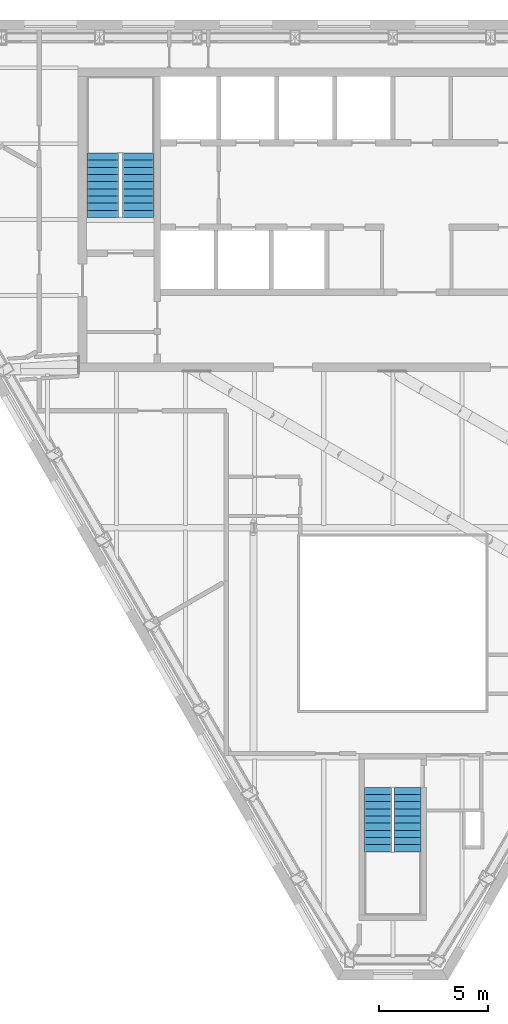
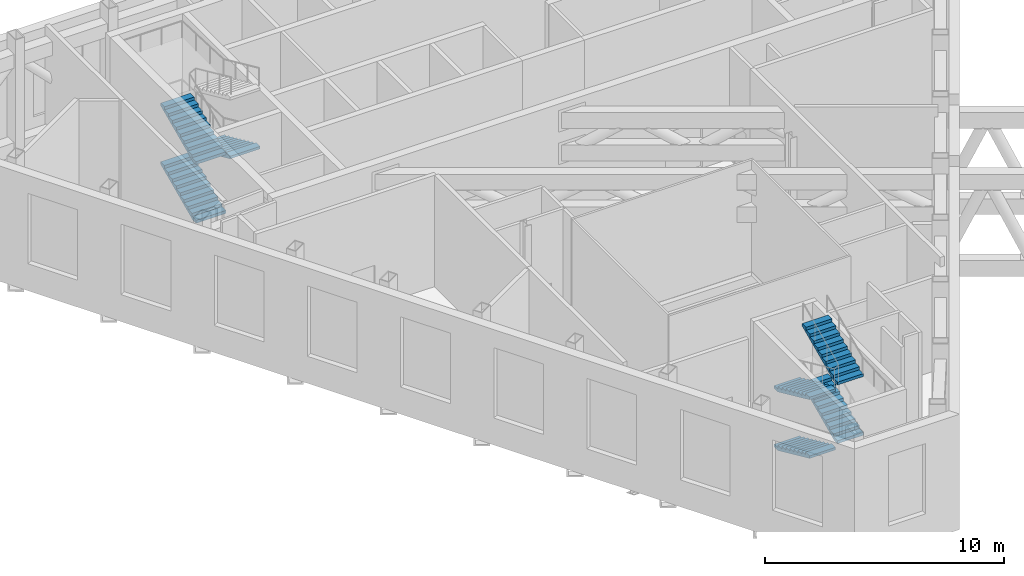
# One storey, part 12 of 14: 7 stair flights, 2 elements without a shape of their own.
"""IFC4 building model written with IfcOpenShell, lengths in metres."""

from ifc_helpers import new_model, si_unit, direction, frame, origin, place, context, subcontext, project, spatial, polygons, material, type_object, element, aggregate, save


model = new_model("IFC4")

# Units and contexts
model_context = context("Model", 3, precision=1e-05, world=origin(), true_north=direction((0.0, 1.0)))
body_context = subcontext(model_context, "Body", "Model", "MODEL_VIEW")
ifc_project = project(units=[si_unit("LENGTHUNIT", "METRE"), si_unit("AREAUNIT", "SQUARE_METRE"), si_unit("VOLUMEUNIT", "CUBIC_METRE"), si_unit("PLANEANGLEUNIT", "RADIAN"), si_unit("MASSUNIT", "GRAM", prefix="KILO")], contexts=[model_context])

# Site, building, storey
site_placement = place(None, origin())
site = spatial("IfcSite", under=ifc_project, at=site_placement, CompositionType="ELEMENT")
building_placement = place(site_placement, origin())
building = spatial("IfcBuilding", under=site, at=building_placement, Name="Njiva Tower", CompositionType="ELEMENT")
storey_placement = place(building_placement, frame((0.0, 0.0, 292.2)))
storey = spatial("IfcBuildingStorey", under=building, at=storey_placement, Name="L67", CompositionType="ELEMENT", Elevation=292.2)

# Stair, stair flights
ifc_material = material(Name="Concrete C40/50", Category="concrete")
stair_type_1 = type_object("IfcStairType", Name="ST1 Exit stair 1250", PredefinedType="HALF_TURN_STAIR", material=ifc_material)
stair_1_placement = place(storey_placement, origin())
stair_1 = element("IfcStair", 1, at=stair_1_placement, inside=storey, type_object=stair_type_1, Name="Stair C", PredefinedType="DOUBLE_RETURN_STAIR")
stair_flight_type_1 = type_object("IfcStairFlightType", Name="FL1 Stair flight 1250", PredefinedType="STRAIGHT", material=ifc_material)
stair_flight_1_placement = place(storey_placement, frame((-0.675, -15.16, 0.0), z_axis=(0.0, 0.0, 1.0), x_axis=(0.0, -1.0, 0.0)))
stair_flight_1 = element("IfcStairFlight", 2, at=stair_flight_1_placement, type_object=stair_flight_type_1, Name="ST-C flight 1", NumberOfRisers=10, NumberOfTreads=9, PredefinedType="STRAIGHT", RiserHeight=0.15, TreadLength=0.33, context=body_context, shape_type="Tessellation", body=[
    polygons([(0.0, 0.625, 0.0), (0.0, 0.3125, 0.0), (0.0, 0.0, 0.0), (0.0, -0.3125, 0.0), (0.0, -0.625, 0.0), (0.0, 0.625, 0.15), (0.0, 0.3125, 0.15), (0.0, 0.0, 0.15), (0.0, -0.3125, 0.15), (0.0, -0.625, 0.15), (0.33, 0.625, 0.15), (0.33, 0.3125, 0.15), (0.33, 0.0, 0.15), (0.33, -0.3125, 0.15), (0.33, -0.625, 0.15), (0.33, 0.625, 0.3), (0.33, 0.3125, 0.3), (0.33, 0.0, 0.3), (0.33, -0.3125, 0.3), (0.33, -0.625, 0.3), (0.66, 0.625, 0.3), (0.66, 0.3125, 0.3), (0.66, 0.0, 0.3), (0.66, -0.3125, 0.3), (0.66, -0.625, 0.3), (0.66, 0.625, 0.45), (0.66, 0.3125, 0.45), (0.66, 0.0, 0.45), (0.66, -0.3125, 0.45), (0.66, -0.625, 0.45), (0.99, 0.625, 0.45), (0.99, 0.3125, 0.45), (0.99, 0.0, 0.45), (0.99, -0.3125, 0.45), (0.99, -0.625, 0.45), (0.99, 0.625, 0.6), (0.99, 0.3125, 0.6), (0.99, 0.0, 0.6), (0.99, -0.3125, 0.6), (0.99, -0.625, 0.6), (1.32, 0.625, 0.6), (1.32, 0.3125, 0.6), (1.32, 0.0, 0.6), (1.32, -0.3125, 0.6), (1.32, -0.625, 0.6), (1.32, 0.625, 0.75), (1.32, 0.3125, 0.75), (1.32, 0.0, 0.75), (1.32, -0.3125, 0.75), (1.32, -0.625, 0.75), (1.65, 0.625, 0.75), (1.65, 0.3125, 0.75), (1.65, 0.0, 0.75), (1.65, -0.3125, 0.75), (1.65, -0.625, 0.75), (1.65, 0.625, 0.9), (1.65, 0.3125, 0.9), (1.65, 0.0, 0.9), (1.65, -0.3125, 0.9), (1.65, -0.625, 0.9), (1.98, 0.625, 0.9), (1.98, 0.3125, 0.9), (1.98, 0.0, 0.9), (1.98, -0.3125, 0.9), (1.98, -0.625, 0.9), (1.98, 0.625, 1.05), (1.98, 0.3125, 1.05), (1.98, 0.0, 1.05), (1.98, -0.3125, 1.05), (1.98, -0.625, 1.05), (2.31, 0.625, 1.05), (2.31, 0.3125, 1.05), (2.31, 0.0, 1.05), (2.31, -0.3125, 1.05), (2.31, -0.625, 1.05), (2.31, 0.625, 1.2), (2.31, 0.3125, 1.2), (2.31, 0.0, 1.2), (2.31, -0.3125, 1.2), (2.31, -0.625, 1.2), (2.64, 0.625, 1.2), (2.64, 0.3125, 1.2), (2.64, 0.0, 1.2), (2.64, -0.3125, 1.2), (2.64, -0.625, 1.2), (2.64, 0.625, 1.35), (2.64, 0.3125, 1.35), (2.64, 0.0, 1.35), (2.64, -0.3125, 1.35), (2.64, -0.625, 1.35), (2.97, 0.625, 1.35), (2.97, 0.3125, 1.35), (2.97, 0.0, 1.35), (2.97, -0.3125, 1.35), (2.97, -0.625, 1.35), (2.97, 0.625, 1.2182), (2.97, 0.3125, 1.2182), (2.97, 0.0, 1.2182), (2.97, -0.3125, 1.2182), (2.97, -0.625, 1.2182), (0.29, 0.625, 0.0), (0.29, 0.3125, 0.0), (0.29, 0.0, 0.0), (0.29, -0.3125, 0.0), (0.29, -0.625, 0.0)], [[[1, 6, 11, 16, 21, 26, 31, 36, 41, 46, 51, 56, 61, 66, 71, 76, 81, 86, 91, 96, 101]], [[105, 100, 95, 90, 85, 80, 75, 70, 65, 60, 55, 50, 45, 40, 35, 30, 25, 20, 15, 10, 5]], [[6, 1, 2, 7]], [[7, 2, 3, 8]], [[8, 3, 4, 9]], [[9, 4, 5, 10]], [[11, 6, 7, 12]], [[12, 7, 8, 13]], [[13, 8, 9, 14]], [[14, 9, 10, 15]], [[16, 11, 12, 17]], [[17, 12, 13, 18]], [[18, 13, 14, 19]], [[19, 14, 15, 20]], [[21, 16, 17, 22]], [[22, 17, 18, 23]], [[23, 18, 19, 24]], [[24, 19, 20, 25]], [[26, 21, 22, 27]], [[27, 22, 23, 28]], [[28, 23, 24, 29]], [[29, 24, 25, 30]], [[31, 26, 27, 32]], [[32, 27, 28, 33]], [[33, 28, 29, 34]], [[34, 29, 30, 35]], [[36, 31, 32, 37]], [[37, 32, 33, 38]], [[38, 33, 34, 39]], [[39, 34, 35, 40]], [[41, 36, 37, 42]], [[42, 37, 38, 43]], [[43, 38, 39, 44]], [[44, 39, 40, 45]], [[46, 41, 42, 47]], [[47, 42, 43, 48]], [[48, 43, 44, 49]], [[49, 44, 45, 50]], [[51, 46, 47, 52]], [[52, 47, 48, 53]], [[53, 48, 49, 54]], [[54, 49, 50, 55]], [[56, 51, 52, 57]], [[57, 52, 53, 58]], [[58, 53, 54, 59]], [[59, 54, 55, 60]], [[61, 56, 57, 62]], [[62, 57, 58, 63]], [[63, 58, 59, 64]], [[64, 59, 60, 65]], [[66, 61, 62, 67]], [[67, 62, 63, 68]], [[68, 63, 64, 69]], [[69, 64, 65, 70]], [[71, 66, 67, 72]], [[72, 67, 68, 73]], [[73, 68, 69, 74]], [[74, 69, 70, 75]], [[76, 71, 72, 77]], [[77, 72, 73, 78]], [[78, 73, 74, 79]], [[79, 74, 75, 80]], [[81, 76, 77, 82]], [[82, 77, 78, 83]], [[83, 78, 79, 84]], [[84, 79, 80, 85]], [[86, 81, 82, 87]], [[87, 82, 83, 88]], [[88, 83, 84, 89]], [[89, 84, 85, 90]], [[91, 86, 87, 92]], [[92, 87, 88, 93]], [[93, 88, 89, 94]], [[94, 89, 90, 95]], [[96, 91, 92, 97]], [[97, 92, 93, 98]], [[98, 93, 94, 99]], [[99, 94, 95, 100]], [[101, 96, 97, 102]], [[102, 97, 98, 103]], [[103, 98, 99, 104]], [[104, 99, 100, 105]], [[1, 101, 102, 2]], [[2, 102, 103, 3]], [[3, 103, 104, 4]], [[4, 104, 105, 5]]], closed=True),
])
stair_flight_2_placement = place(storey_placement, frame((0.675, -18.13, 1.5), z_axis=(0.0, 0.0, 1.0), x_axis=(0.0, 1.0, 0.0)))
stair_flight_2 = element("IfcStairFlight", 3, at=stair_flight_2_placement, type_object=stair_flight_type_1, Name="ST-C flight 2", NumberOfRisers=10, NumberOfTreads=9, PredefinedType="STRAIGHT", RiserHeight=0.15, TreadLength=0.33, context=body_context, shape_type="Tessellation", body=[
    polygons([(0.0, 0.625, 0.0), (0.0, 0.3125, 0.0), (0.0, 0.0, 0.0), (0.0, -0.3125, 0.0), (0.0, -0.625, 0.0), (0.0, 0.625, 0.15), (0.0, 0.3125, 0.15), (0.0, 0.0, 0.15), (0.0, -0.3125, 0.15), (0.0, -0.625, 0.15), (0.33, 0.625, 0.15), (0.33, 0.3125, 0.15), (0.33, 0.0, 0.15), (0.33, -0.3125, 0.15), (0.33, -0.625, 0.15), (0.33, 0.625, 0.3), (0.33, 0.3125, 0.3), (0.33, 0.0, 0.3), (0.33, -0.3125, 0.3), (0.33, -0.625, 0.3), (0.66, 0.625, 0.3), (0.66, 0.3125, 0.3), (0.66, 0.0, 0.3), (0.66, -0.3125, 0.3), (0.66, -0.625, 0.3), (0.66, 0.625, 0.45), (0.66, 0.3125, 0.45), (0.66, 0.0, 0.45), (0.66, -0.3125, 0.45), (0.66, -0.625, 0.45), (0.99, 0.625, 0.45), (0.99, 0.3125, 0.45), (0.99, 0.0, 0.45), (0.99, -0.3125, 0.45), (0.99, -0.625, 0.45), (0.99, 0.625, 0.6), (0.99, 0.3125, 0.6), (0.99, 0.0, 0.6), (0.99, -0.3125, 0.6), (0.99, -0.625, 0.6), (1.32, 0.625, 0.6), (1.32, 0.3125, 0.6), (1.32, 0.0, 0.6), (1.32, -0.3125, 0.6), (1.32, -0.625, 0.6), (1.32, 0.625, 0.75), (1.32, 0.3125, 0.75), (1.32, 0.0, 0.75), (1.32, -0.3125, 0.75), (1.32, -0.625, 0.75), (1.65, 0.625, 0.75), (1.65, 0.3125, 0.75), (1.65, 0.0, 0.75), (1.65, -0.3125, 0.75), (1.65, -0.625, 0.75), (1.65, 0.625, 0.9), (1.65, 0.3125, 0.9), (1.65, 0.0, 0.9), (1.65, -0.3125, 0.9), (1.65, -0.625, 0.9), (1.98, 0.625, 0.9), (1.98, 0.3125, 0.9), (1.98, 0.0, 0.9), (1.98, -0.3125, 0.9), (1.98, -0.625, 0.9), (1.98, 0.625, 1.05), (1.98, 0.3125, 1.05), (1.98, 0.0, 1.05), (1.98, -0.3125, 1.05), (1.98, -0.625, 1.05), (2.31, 0.625, 1.05), (2.31, 0.3125, 1.05), (2.31, 0.0, 1.05), (2.31, -0.3125, 1.05), (2.31, -0.625, 1.05), (2.31, 0.625, 1.2), (2.31, 0.3125, 1.2), (2.31, 0.0, 1.2), (2.31, -0.3125, 1.2), (2.31, -0.625, 1.2), (2.64, 0.625, 1.2), (2.64, 0.3125, 1.2), (2.64, 0.0, 1.2), (2.64, -0.3125, 1.2), (2.64, -0.625, 1.2), (2.64, 0.625, 1.35), (2.64, 0.3125, 1.35), (2.64, 0.0, 1.35), (2.64, -0.3125, 1.35), (2.64, -0.625, 1.35), (2.97, 0.625, 1.35), (2.97, 0.3125, 1.35), (2.97, 0.0, 1.35), (2.97, -0.3125, 1.35), (2.97, -0.625, 1.35), (2.97, 0.625, 1.2182), (2.97, 0.3125, 1.2182), (2.97, 0.0, 1.2182), (2.97, -0.3125, 1.2182), (2.97, -0.625, 1.2182), (0.29, 0.625, 0.0), (0.29, 0.3125, 0.0), (0.29, 0.0, 0.0), (0.29, -0.3125, 0.0), (0.29, -0.625, 0.0)], [[[1, 6, 11, 16, 21, 26, 31, 36, 41, 46, 51, 56, 61, 66, 71, 76, 81, 86, 91, 96, 101]], [[105, 100, 95, 90, 85, 80, 75, 70, 65, 60, 55, 50, 45, 40, 35, 30, 25, 20, 15, 10, 5]], [[6, 1, 2, 7]], [[7, 2, 3, 8]], [[8, 3, 4, 9]], [[9, 4, 5, 10]], [[11, 6, 7, 12]], [[12, 7, 8, 13]], [[13, 8, 9, 14]], [[14, 9, 10, 15]], [[16, 11, 12, 17]], [[17, 12, 13, 18]], [[18, 13, 14, 19]], [[19, 14, 15, 20]], [[21, 16, 17, 22]], [[22, 17, 18, 23]], [[23, 18, 19, 24]], [[24, 19, 20, 25]], [[26, 21, 22, 27]], [[27, 22, 23, 28]], [[28, 23, 24, 29]], [[29, 24, 25, 30]], [[31, 26, 27, 32]], [[32, 27, 28, 33]], [[33, 28, 29, 34]], [[34, 29, 30, 35]], [[36, 31, 32, 37]], [[37, 32, 33, 38]], [[38, 33, 34, 39]], [[39, 34, 35, 40]], [[41, 36, 37, 42]], [[42, 37, 38, 43]], [[43, 38, 39, 44]], [[44, 39, 40, 45]], [[46, 41, 42, 47]], [[47, 42, 43, 48]], [[48, 43, 44, 49]], [[49, 44, 45, 50]], [[51, 46, 47, 52]], [[52, 47, 48, 53]], [[53, 48, 49, 54]], [[54, 49, 50, 55]], [[56, 51, 52, 57]], [[57, 52, 53, 58]], [[58, 53, 54, 59]], [[59, 54, 55, 60]], [[61, 56, 57, 62]], [[62, 57, 58, 63]], [[63, 58, 59, 64]], [[64, 59, 60, 65]], [[66, 61, 62, 67]], [[67, 62, 63, 68]], [[68, 63, 64, 69]], [[69, 64, 65, 70]], [[71, 66, 67, 72]], [[72, 67, 68, 73]], [[73, 68, 69, 74]], [[74, 69, 70, 75]], [[76, 71, 72, 77]], [[77, 72, 73, 78]], [[78, 73, 74, 79]], [[79, 74, 75, 80]], [[81, 76, 77, 82]], [[82, 77, 78, 83]], [[83, 78, 79, 84]], [[84, 79, 80, 85]], [[86, 81, 82, 87]], [[87, 82, 83, 88]], [[88, 83, 84, 89]], [[89, 84, 85, 90]], [[91, 86, 87, 92]], [[92, 87, 88, 93]], [[93, 88, 89, 94]], [[94, 89, 90, 95]], [[96, 91, 92, 97]], [[97, 92, 93, 98]], [[98, 93, 94, 99]], [[99, 94, 95, 100]], [[101, 96, 97, 102]], [[102, 97, 98, 103]], [[103, 98, 99, 104]], [[104, 99, 100, 105]], [[1, 101, 102, 2]], [[2, 102, 103, 3]], [[3, 103, 104, 4]], [[4, 104, 105, 5]]], closed=True),
])
stair_flight_3_placement = place(storey_placement, frame((-0.675, -15.16, 3.0), z_axis=(0.0, 0.0, 1.0), x_axis=(0.0, -1.0, 0.0)))
stair_flight_3 = element("IfcStairFlight", 4, at=stair_flight_3_placement, type_object=stair_flight_type_1, Name="ST-C flight 3", NumberOfRisers=10, NumberOfTreads=9, PredefinedType="STRAIGHT", RiserHeight=0.15, TreadLength=0.33, context=body_context, shape_type="Tessellation", body=[
    polygons([(0.0, 0.625, 0.0), (0.0, 0.3125, 0.0), (0.0, 0.0, 0.0), (0.0, -0.3125, 0.0), (0.0, -0.625, 0.0), (0.0, 0.625, 0.15), (0.0, 0.3125, 0.15), (0.0, 0.0, 0.15), (0.0, -0.3125, 0.15), (0.0, -0.625, 0.15), (0.33, 0.625, 0.15), (0.33, 0.3125, 0.15), (0.33, 0.0, 0.15), (0.33, -0.3125, 0.15), (0.33, -0.625, 0.15), (0.33, 0.625, 0.3), (0.33, 0.3125, 0.3), (0.33, 0.0, 0.3), (0.33, -0.3125, 0.3), (0.33, -0.625, 0.3), (0.66, 0.625, 0.3), (0.66, 0.3125, 0.3), (0.66, 0.0, 0.3), (0.66, -0.3125, 0.3), (0.66, -0.625, 0.3), (0.66, 0.625, 0.45), (0.66, 0.3125, 0.45), (0.66, 0.0, 0.45), (0.66, -0.3125, 0.45), (0.66, -0.625, 0.45), (0.99, 0.625, 0.45), (0.99, 0.3125, 0.45), (0.99, 0.0, 0.45), (0.99, -0.3125, 0.45), (0.99, -0.625, 0.45), (0.99, 0.625, 0.6), (0.99, 0.3125, 0.6), (0.99, 0.0, 0.6), (0.99, -0.3125, 0.6), (0.99, -0.625, 0.6), (1.32, 0.625, 0.6), (1.32, 0.3125, 0.6), (1.32, 0.0, 0.6), (1.32, -0.3125, 0.6), (1.32, -0.625, 0.6), (1.32, 0.625, 0.75), (1.32, 0.3125, 0.75), (1.32, 0.0, 0.75), (1.32, -0.3125, 0.75), (1.32, -0.625, 0.75), (1.65, 0.625, 0.75), (1.65, 0.3125, 0.75), (1.65, 0.0, 0.75), (1.65, -0.3125, 0.75), (1.65, -0.625, 0.75), (1.65, 0.625, 0.9), (1.65, 0.3125, 0.9), (1.65, 0.0, 0.9), (1.65, -0.3125, 0.9), (1.65, -0.625, 0.9), (1.98, 0.625, 0.9), (1.98, 0.3125, 0.9), (1.98, 0.0, 0.9), (1.98, -0.3125, 0.9), (1.98, -0.625, 0.9), (1.98, 0.625, 1.05), (1.98, 0.3125, 1.05), (1.98, 0.0, 1.05), (1.98, -0.3125, 1.05), (1.98, -0.625, 1.05), (2.31, 0.625, 1.05), (2.31, 0.3125, 1.05), (2.31, 0.0, 1.05), (2.31, -0.3125, 1.05), (2.31, -0.625, 1.05), (2.31, 0.625, 1.2), (2.31, 0.3125, 1.2), (2.31, 0.0, 1.2), (2.31, -0.3125, 1.2), (2.31, -0.625, 1.2), (2.64, 0.625, 1.2), (2.64, 0.3125, 1.2), (2.64, 0.0, 1.2), (2.64, -0.3125, 1.2), (2.64, -0.625, 1.2), (2.64, 0.625, 1.35), (2.64, 0.3125, 1.35), (2.64, 0.0, 1.35), (2.64, -0.3125, 1.35), (2.64, -0.625, 1.35), (2.97, 0.625, 1.35), (2.97, 0.3125, 1.35), (2.97, 0.0, 1.35), (2.97, -0.3125, 1.35), (2.97, -0.625, 1.35), (2.97, 0.625, 1.2182), (2.97, 0.3125, 1.2182), (2.97, 0.0, 1.2182), (2.97, -0.3125, 1.2182), (2.97, -0.625, 1.2182), (0.29, 0.625, 0.0), (0.29, 0.3125, 0.0), (0.29, 0.0, 0.0), (0.29, -0.3125, 0.0), (0.29, -0.625, 0.0)], [[[1, 6, 11, 16, 21, 26, 31, 36, 41, 46, 51, 56, 61, 66, 71, 76, 81, 86, 91, 96, 101]], [[105, 100, 95, 90, 85, 80, 75, 70, 65, 60, 55, 50, 45, 40, 35, 30, 25, 20, 15, 10, 5]], [[6, 1, 2, 7]], [[7, 2, 3, 8]], [[8, 3, 4, 9]], [[9, 4, 5, 10]], [[11, 6, 7, 12]], [[12, 7, 8, 13]], [[13, 8, 9, 14]], [[14, 9, 10, 15]], [[16, 11, 12, 17]], [[17, 12, 13, 18]], [[18, 13, 14, 19]], [[19, 14, 15, 20]], [[21, 16, 17, 22]], [[22, 17, 18, 23]], [[23, 18, 19, 24]], [[24, 19, 20, 25]], [[26, 21, 22, 27]], [[27, 22, 23, 28]], [[28, 23, 24, 29]], [[29, 24, 25, 30]], [[31, 26, 27, 32]], [[32, 27, 28, 33]], [[33, 28, 29, 34]], [[34, 29, 30, 35]], [[36, 31, 32, 37]], [[37, 32, 33, 38]], [[38, 33, 34, 39]], [[39, 34, 35, 40]], [[41, 36, 37, 42]], [[42, 37, 38, 43]], [[43, 38, 39, 44]], [[44, 39, 40, 45]], [[46, 41, 42, 47]], [[47, 42, 43, 48]], [[48, 43, 44, 49]], [[49, 44, 45, 50]], [[51, 46, 47, 52]], [[52, 47, 48, 53]], [[53, 48, 49, 54]], [[54, 49, 50, 55]], [[56, 51, 52, 57]], [[57, 52, 53, 58]], [[58, 53, 54, 59]], [[59, 54, 55, 60]], [[61, 56, 57, 62]], [[62, 57, 58, 63]], [[63, 58, 59, 64]], [[64, 59, 60, 65]], [[66, 61, 62, 67]], [[67, 62, 63, 68]], [[68, 63, 64, 69]], [[69, 64, 65, 70]], [[71, 66, 67, 72]], [[72, 67, 68, 73]], [[73, 68, 69, 74]], [[74, 69, 70, 75]], [[76, 71, 72, 77]], [[77, 72, 73, 78]], [[78, 73, 74, 79]], [[79, 74, 75, 80]], [[81, 76, 77, 82]], [[82, 77, 78, 83]], [[83, 78, 79, 84]], [[84, 79, 80, 85]], [[86, 81, 82, 87]], [[87, 82, 83, 88]], [[88, 83, 84, 89]], [[89, 84, 85, 90]], [[91, 86, 87, 92]], [[92, 87, 88, 93]], [[93, 88, 89, 94]], [[94, 89, 90, 95]], [[96, 91, 92, 97]], [[97, 92, 93, 98]], [[98, 93, 94, 99]], [[99, 94, 95, 100]], [[101, 96, 97, 102]], [[102, 97, 98, 103]], [[103, 98, 99, 104]], [[104, 99, 100, 105]], [[1, 101, 102, 2]], [[2, 102, 103, 3]], [[3, 103, 104, 4]], [[4, 104, 105, 5]]], closed=True),
])
stair_flight_4_placement = place(storey_placement, frame((0.675, -18.13, 4.5), z_axis=(0.0, 0.0, 1.0), x_axis=(0.0, 1.0, 0.0)))
stair_flight_4 = element("IfcStairFlight", 5, at=stair_flight_4_placement, type_object=stair_flight_type_1, Name="ST-C flight 4", NumberOfRisers=10, NumberOfTreads=9, PredefinedType="STRAIGHT", RiserHeight=0.15, TreadLength=0.33, context=body_context, shape_type="Tessellation", body=[
    polygons([(0.0, 0.625, 0.0), (0.0, 0.3125, 0.0), (0.0, 0.0, 0.0), (0.0, -0.3125, 0.0), (0.0, -0.625, 0.0), (0.0, 0.625, 0.15), (0.0, 0.3125, 0.15), (0.0, 0.0, 0.15), (0.0, -0.3125, 0.15), (0.0, -0.625, 0.15), (0.33, 0.625, 0.15), (0.33, 0.3125, 0.15), (0.33, 0.0, 0.15), (0.33, -0.3125, 0.15), (0.33, -0.625, 0.15), (0.33, 0.625, 0.3), (0.33, 0.3125, 0.3), (0.33, 0.0, 0.3), (0.33, -0.3125, 0.3), (0.33, -0.625, 0.3), (0.66, 0.625, 0.3), (0.66, 0.3125, 0.3), (0.66, 0.0, 0.3), (0.66, -0.3125, 0.3), (0.66, -0.625, 0.3), (0.66, 0.625, 0.45), (0.66, 0.3125, 0.45), (0.66, 0.0, 0.45), (0.66, -0.3125, 0.45), (0.66, -0.625, 0.45), (0.99, 0.625, 0.45), (0.99, 0.3125, 0.45), (0.99, 0.0, 0.45), (0.99, -0.3125, 0.45), (0.99, -0.625, 0.45), (0.99, 0.625, 0.6), (0.99, 0.3125, 0.6), (0.99, 0.0, 0.6), (0.99, -0.3125, 0.6), (0.99, -0.625, 0.6), (1.32, 0.625, 0.6), (1.32, 0.3125, 0.6), (1.32, 0.0, 0.6), (1.32, -0.3125, 0.6), (1.32, -0.625, 0.6), (1.32, 0.625, 0.75), (1.32, 0.3125, 0.75), (1.32, 0.0, 0.75), (1.32, -0.3125, 0.75), (1.32, -0.625, 0.75), (1.65, 0.625, 0.75), (1.65, 0.3125, 0.75), (1.65, 0.0, 0.75), (1.65, -0.3125, 0.75), (1.65, -0.625, 0.75), (1.65, 0.625, 0.9), (1.65, 0.3125, 0.9), (1.65, 0.0, 0.9), (1.65, -0.3125, 0.9), (1.65, -0.625, 0.9), (1.98, 0.625, 0.9), (1.98, 0.3125, 0.9), (1.98, 0.0, 0.9), (1.98, -0.3125, 0.9), (1.98, -0.625, 0.9), (1.98, 0.625, 1.05), (1.98, 0.3125, 1.05), (1.98, 0.0, 1.05), (1.98, -0.3125, 1.05), (1.98, -0.625, 1.05), (2.31, 0.625, 1.05), (2.31, 0.3125, 1.05), (2.31, 0.0, 1.05), (2.31, -0.3125, 1.05), (2.31, -0.625, 1.05), (2.31, 0.625, 1.2), (2.31, 0.3125, 1.2), (2.31, 0.0, 1.2), (2.31, -0.3125, 1.2), (2.31, -0.625, 1.2), (2.64, 0.625, 1.2), (2.64, 0.3125, 1.2), (2.64, 0.0, 1.2), (2.64, -0.3125, 1.2), (2.64, -0.625, 1.2), (2.64, 0.625, 1.35), (2.64, 0.3125, 1.35), (2.64, 0.0, 1.35), (2.64, -0.3125, 1.35), (2.64, -0.625, 1.35), (2.97, 0.625, 1.35), (2.97, 0.3125, 1.35), (2.97, 0.0, 1.35), (2.97, -0.3125, 1.35), (2.97, -0.625, 1.35), (2.97, 0.625, 1.2182), (2.97, 0.3125, 1.2182), (2.97, 0.0, 1.2182), (2.97, -0.3125, 1.2182), (2.97, -0.625, 1.2182), (0.29, 0.625, 0.0), (0.29, 0.3125, 0.0), (0.29, 0.0, 0.0), (0.29, -0.3125, 0.0), (0.29, -0.625, 0.0)], [[[1, 6, 11, 16, 21, 26, 31, 36, 41, 46, 51, 56, 61, 66, 71, 76, 81, 86, 91, 96, 101]], [[105, 100, 95, 90, 85, 80, 75, 70, 65, 60, 55, 50, 45, 40, 35, 30, 25, 20, 15, 10, 5]], [[6, 1, 2, 7]], [[7, 2, 3, 8]], [[8, 3, 4, 9]], [[9, 4, 5, 10]], [[11, 6, 7, 12]], [[12, 7, 8, 13]], [[13, 8, 9, 14]], [[14, 9, 10, 15]], [[16, 11, 12, 17]], [[17, 12, 13, 18]], [[18, 13, 14, 19]], [[19, 14, 15, 20]], [[21, 16, 17, 22]], [[22, 17, 18, 23]], [[23, 18, 19, 24]], [[24, 19, 20, 25]], [[26, 21, 22, 27]], [[27, 22, 23, 28]], [[28, 23, 24, 29]], [[29, 24, 25, 30]], [[31, 26, 27, 32]], [[32, 27, 28, 33]], [[33, 28, 29, 34]], [[34, 29, 30, 35]], [[36, 31, 32, 37]], [[37, 32, 33, 38]], [[38, 33, 34, 39]], [[39, 34, 35, 40]], [[41, 36, 37, 42]], [[42, 37, 38, 43]], [[43, 38, 39, 44]], [[44, 39, 40, 45]], [[46, 41, 42, 47]], [[47, 42, 43, 48]], [[48, 43, 44, 49]], [[49, 44, 45, 50]], [[51, 46, 47, 52]], [[52, 47, 48, 53]], [[53, 48, 49, 54]], [[54, 49, 50, 55]], [[56, 51, 52, 57]], [[57, 52, 53, 58]], [[58, 53, 54, 59]], [[59, 54, 55, 60]], [[61, 56, 57, 62]], [[62, 57, 58, 63]], [[63, 58, 59, 64]], [[64, 59, 60, 65]], [[66, 61, 62, 67]], [[67, 62, 63, 68]], [[68, 63, 64, 69]], [[69, 64, 65, 70]], [[71, 66, 67, 72]], [[72, 67, 68, 73]], [[73, 68, 69, 74]], [[74, 69, 70, 75]], [[76, 71, 72, 77]], [[77, 72, 73, 78]], [[78, 73, 74, 79]], [[79, 74, 75, 80]], [[81, 76, 77, 82]], [[82, 77, 78, 83]], [[83, 78, 79, 84]], [[84, 79, 80, 85]], [[86, 81, 82, 87]], [[87, 82, 83, 88]], [[88, 83, 84, 89]], [[89, 84, 85, 90]], [[91, 86, 87, 92]], [[92, 87, 88, 93]], [[93, 88, 89, 94]], [[94, 89, 90, 95]], [[96, 91, 92, 97]], [[97, 92, 93, 98]], [[98, 93, 94, 99]], [[99, 94, 95, 100]], [[101, 96, 97, 102]], [[102, 97, 98, 103]], [[103, 98, 99, 104]], [[104, 99, 100, 105]], [[1, 101, 102, 2]], [[2, 102, 103, 3]], [[3, 103, 104, 4]], [[4, 104, 105, 5]]], closed=True),
])
aggregate(stair_1, [stair_flight_1, stair_flight_2, stair_flight_3, stair_flight_4])

stair_type_2 = type_object("IfcStairType", Name="ST3 Exit stair 1450", PredefinedType="HALF_TURN_STAIR", material=ifc_material)
stair_2_placement = place(storey_placement, origin())
stair_2 = element("IfcStair", 6, at=stair_2_placement, inside=storey, type_object=stair_type_2, Name="Stair A", PredefinedType="DOUBLE_RETURN_STAIR")
stair_flight_type_2 = type_object("IfcStairFlightType", Name="FL3 Stair flight 1450", PredefinedType="STRAIGHT", material=ifc_material)
stair_flight_5_placement = place(storey_placement, frame((-13.375, 11.1, 0.0), z_axis=(0.0, 0.0, 1.0), x_axis=(0.0, 1.0, 0.0)))
stair_flight_5 = element("IfcStairFlight", 7, at=stair_flight_5_placement, type_object=stair_flight_type_2, Name="ST-A flight 1", NumberOfRisers=10, NumberOfTreads=9, PredefinedType="STRAIGHT", RiserHeight=0.15, TreadLength=0.33, context=body_context, shape_type="Tessellation", body=[
    polygons([(0.0, 0.725, 0.0), (0.0, 0.3625, 0.0), (0.0, 0.0, 0.0), (0.0, -0.3625, 0.0), (0.0, -0.725, 0.0), (0.0, 0.725, 0.15), (0.0, 0.3625, 0.15), (0.0, 0.0, 0.15), (0.0, -0.3625, 0.15), (0.0, -0.725, 0.15), (0.33, 0.725, 0.15), (0.33, 0.3625, 0.15), (0.33, 0.0, 0.15), (0.33, -0.3625, 0.15), (0.33, -0.725, 0.15), (0.33, 0.725, 0.3), (0.33, 0.3625, 0.3), (0.33, 0.0, 0.3), (0.33, -0.3625, 0.3), (0.33, -0.725, 0.3), (0.66, 0.725, 0.3), (0.66, 0.3625, 0.3), (0.66, 0.0, 0.3), (0.66, -0.3625, 0.3), (0.66, -0.725, 0.3), (0.66, 0.725, 0.45), (0.66, 0.3625, 0.45), (0.66, 0.0, 0.45), (0.66, -0.3625, 0.45), (0.66, -0.725, 0.45), (0.99, 0.725, 0.45), (0.99, 0.3625, 0.45), (0.99, 0.0, 0.45), (0.99, -0.3625, 0.45), (0.99, -0.725, 0.45), (0.99, 0.725, 0.6), (0.99, 0.3625, 0.6), (0.99, 0.0, 0.6), (0.99, -0.3625, 0.6), (0.99, -0.725, 0.6), (1.32, 0.725, 0.6), (1.32, 0.3625, 0.6), (1.32, 0.0, 0.6), (1.32, -0.3625, 0.6), (1.32, -0.725, 0.6), (1.32, 0.725, 0.75), (1.32, 0.3625, 0.75), (1.32, 0.0, 0.75), (1.32, -0.3625, 0.75), (1.32, -0.725, 0.75), (1.65, 0.725, 0.75), (1.65, 0.3625, 0.75), (1.65, 0.0, 0.75), (1.65, -0.3625, 0.75), (1.65, -0.725, 0.75), (1.65, 0.725, 0.9), (1.65, 0.3625, 0.9), (1.65, 0.0, 0.9), (1.65, -0.3625, 0.9), (1.65, -0.725, 0.9), (1.98, 0.725, 0.9), (1.98, 0.3625, 0.9), (1.98, 0.0, 0.9), (1.98, -0.3625, 0.9), (1.98, -0.725, 0.9), (1.98, 0.725, 1.05), (1.98, 0.3625, 1.05), (1.98, 0.0, 1.05), (1.98, -0.3625, 1.05), (1.98, -0.725, 1.05), (2.31, 0.725, 1.05), (2.31, 0.3625, 1.05), (2.31, 0.0, 1.05), (2.31, -0.3625, 1.05), (2.31, -0.725, 1.05), (2.31, 0.725, 1.2), (2.31, 0.3625, 1.2), (2.31, 0.0, 1.2), (2.31, -0.3625, 1.2), (2.31, -0.725, 1.2), (2.64, 0.725, 1.2), (2.64, 0.3625, 1.2), (2.64, 0.0, 1.2), (2.64, -0.3625, 1.2), (2.64, -0.725, 1.2), (2.64, 0.725, 1.35), (2.64, 0.3625, 1.35), (2.64, 0.0, 1.35), (2.64, -0.3625, 1.35), (2.64, -0.725, 1.35), (2.97, 0.725, 1.35), (2.97, 0.3625, 1.35), (2.97, 0.0, 1.35), (2.97, -0.3625, 1.35), (2.97, -0.725, 1.35), (2.97, 0.725, 1.2182), (2.97, 0.3625, 1.2182), (2.97, 0.0, 1.2182), (2.97, -0.3625, 1.2182), (2.97, -0.725, 1.2182), (0.29, 0.725, 0.0), (0.29, 0.3625, 0.0), (0.29, 0.0, 0.0), (0.29, -0.3625, 0.0), (0.29, -0.725, 0.0)], [[[1, 6, 11, 16, 21, 26, 31, 36, 41, 46, 51, 56, 61, 66, 71, 76, 81, 86, 91, 96, 101]], [[105, 100, 95, 90, 85, 80, 75, 70, 65, 60, 55, 50, 45, 40, 35, 30, 25, 20, 15, 10, 5]], [[6, 1, 2, 7]], [[7, 2, 3, 8]], [[8, 3, 4, 9]], [[9, 4, 5, 10]], [[11, 6, 7, 12]], [[12, 7, 8, 13]], [[13, 8, 9, 14]], [[14, 9, 10, 15]], [[16, 11, 12, 17]], [[17, 12, 13, 18]], [[18, 13, 14, 19]], [[19, 14, 15, 20]], [[21, 16, 17, 22]], [[22, 17, 18, 23]], [[23, 18, 19, 24]], [[24, 19, 20, 25]], [[26, 21, 22, 27]], [[27, 22, 23, 28]], [[28, 23, 24, 29]], [[29, 24, 25, 30]], [[31, 26, 27, 32]], [[32, 27, 28, 33]], [[33, 28, 29, 34]], [[34, 29, 30, 35]], [[36, 31, 32, 37]], [[37, 32, 33, 38]], [[38, 33, 34, 39]], [[39, 34, 35, 40]], [[41, 36, 37, 42]], [[42, 37, 38, 43]], [[43, 38, 39, 44]], [[44, 39, 40, 45]], [[46, 41, 42, 47]], [[47, 42, 43, 48]], [[48, 43, 44, 49]], [[49, 44, 45, 50]], [[51, 46, 47, 52]], [[52, 47, 48, 53]], [[53, 48, 49, 54]], [[54, 49, 50, 55]], [[56, 51, 52, 57]], [[57, 52, 53, 58]], [[58, 53, 54, 59]], [[59, 54, 55, 60]], [[61, 56, 57, 62]], [[62, 57, 58, 63]], [[63, 58, 59, 64]], [[64, 59, 60, 65]], [[66, 61, 62, 67]], [[67, 62, 63, 68]], [[68, 63, 64, 69]], [[69, 64, 65, 70]], [[71, 66, 67, 72]], [[72, 67, 68, 73]], [[73, 68, 69, 74]], [[74, 69, 70, 75]], [[76, 71, 72, 77]], [[77, 72, 73, 78]], [[78, 73, 74, 79]], [[79, 74, 75, 80]], [[81, 76, 77, 82]], [[82, 77, 78, 83]], [[83, 78, 79, 84]], [[84, 79, 80, 85]], [[86, 81, 82, 87]], [[87, 82, 83, 88]], [[88, 83, 84, 89]], [[89, 84, 85, 90]], [[91, 86, 87, 92]], [[92, 87, 88, 93]], [[93, 88, 89, 94]], [[94, 89, 90, 95]], [[96, 91, 92, 97]], [[97, 92, 93, 98]], [[98, 93, 94, 99]], [[99, 94, 95, 100]], [[101, 96, 97, 102]], [[102, 97, 98, 103]], [[103, 98, 99, 104]], [[104, 99, 100, 105]], [[1, 101, 102, 2]], [[2, 102, 103, 3]], [[3, 103, 104, 4]], [[4, 104, 105, 5]]], closed=True),
])
stair_flight_6_placement = place(storey_placement, frame((-11.725, 14.07, 1.5), z_axis=(0.0, 0.0, 1.0), x_axis=(0.0, -1.0, 0.0)))
stair_flight_6 = element("IfcStairFlight", 8, at=stair_flight_6_placement, type_object=stair_flight_type_2, Name="ST-A flight 2", NumberOfRisers=10, NumberOfTreads=9, PredefinedType="STRAIGHT", RiserHeight=0.15, TreadLength=0.33, context=body_context, shape_type="Tessellation", body=[
    polygons([(0.0, 0.725, 0.0), (0.0, 0.3625, 0.0), (0.0, 0.0, 0.0), (0.0, -0.3625, 0.0), (0.0, -0.725, 0.0), (0.0, 0.725, 0.15), (0.0, 0.3625, 0.15), (0.0, 0.0, 0.15), (0.0, -0.3625, 0.15), (0.0, -0.725, 0.15), (0.33, 0.725, 0.15), (0.33, 0.3625, 0.15), (0.33, 0.0, 0.15), (0.33, -0.3625, 0.15), (0.33, -0.725, 0.15), (0.33, 0.725, 0.3), (0.33, 0.3625, 0.3), (0.33, 0.0, 0.3), (0.33, -0.3625, 0.3), (0.33, -0.725, 0.3), (0.66, 0.725, 0.3), (0.66, 0.3625, 0.3), (0.66, 0.0, 0.3), (0.66, -0.3625, 0.3), (0.66, -0.725, 0.3), (0.66, 0.725, 0.45), (0.66, 0.3625, 0.45), (0.66, 0.0, 0.45), (0.66, -0.3625, 0.45), (0.66, -0.725, 0.45), (0.99, 0.725, 0.45), (0.99, 0.3625, 0.45), (0.99, 0.0, 0.45), (0.99, -0.3625, 0.45), (0.99, -0.725, 0.45), (0.99, 0.725, 0.6), (0.99, 0.3625, 0.6), (0.99, 0.0, 0.6), (0.99, -0.3625, 0.6), (0.99, -0.725, 0.6), (1.32, 0.725, 0.6), (1.32, 0.3625, 0.6), (1.32, 0.0, 0.6), (1.32, -0.3625, 0.6), (1.32, -0.725, 0.6), (1.32, 0.725, 0.75), (1.32, 0.3625, 0.75), (1.32, 0.0, 0.75), (1.32, -0.3625, 0.75), (1.32, -0.725, 0.75), (1.65, 0.725, 0.75), (1.65, 0.3625, 0.75), (1.65, 0.0, 0.75), (1.65, -0.3625, 0.75), (1.65, -0.725, 0.75), (1.65, 0.725, 0.9), (1.65, 0.3625, 0.9), (1.65, 0.0, 0.9), (1.65, -0.3625, 0.9), (1.65, -0.725, 0.9), (1.98, 0.725, 0.9), (1.98, 0.3625, 0.9), (1.98, 0.0, 0.9), (1.98, -0.3625, 0.9), (1.98, -0.725, 0.9), (1.98, 0.725, 1.05), (1.98, 0.3625, 1.05), (1.98, 0.0, 1.05), (1.98, -0.3625, 1.05), (1.98, -0.725, 1.05), (2.31, 0.725, 1.05), (2.31, 0.3625, 1.05), (2.31, 0.0, 1.05), (2.31, -0.3625, 1.05), (2.31, -0.725, 1.05), (2.31, 0.725, 1.2), (2.31, 0.3625, 1.2), (2.31, 0.0, 1.2), (2.31, -0.3625, 1.2), (2.31, -0.725, 1.2), (2.64, 0.725, 1.2), (2.64, 0.3625, 1.2), (2.64, 0.0, 1.2), (2.64, -0.3625, 1.2), (2.64, -0.725, 1.2), (2.64, 0.725, 1.35), (2.64, 0.3625, 1.35), (2.64, 0.0, 1.35), (2.64, -0.3625, 1.35), (2.64, -0.725, 1.35), (2.97, 0.725, 1.35), (2.97, 0.3625, 1.35), (2.97, 0.0, 1.35), (2.97, -0.3625, 1.35), (2.97, -0.725, 1.35), (2.97, 0.725, 1.2182), (2.97, 0.3625, 1.2182), (2.97, 0.0, 1.2182), (2.97, -0.3625, 1.2182), (2.97, -0.725, 1.2182), (0.29, 0.725, 0.0), (0.29, 0.3625, 0.0), (0.29, 0.0, 0.0), (0.29, -0.3625, 0.0), (0.29, -0.725, 0.0)], [[[1, 6, 11, 16, 21, 26, 31, 36, 41, 46, 51, 56, 61, 66, 71, 76, 81, 86, 91, 96, 101]], [[105, 100, 95, 90, 85, 80, 75, 70, 65, 60, 55, 50, 45, 40, 35, 30, 25, 20, 15, 10, 5]], [[6, 1, 2, 7]], [[7, 2, 3, 8]], [[8, 3, 4, 9]], [[9, 4, 5, 10]], [[11, 6, 7, 12]], [[12, 7, 8, 13]], [[13, 8, 9, 14]], [[14, 9, 10, 15]], [[16, 11, 12, 17]], [[17, 12, 13, 18]], [[18, 13, 14, 19]], [[19, 14, 15, 20]], [[21, 16, 17, 22]], [[22, 17, 18, 23]], [[23, 18, 19, 24]], [[24, 19, 20, 25]], [[26, 21, 22, 27]], [[27, 22, 23, 28]], [[28, 23, 24, 29]], [[29, 24, 25, 30]], [[31, 26, 27, 32]], [[32, 27, 28, 33]], [[33, 28, 29, 34]], [[34, 29, 30, 35]], [[36, 31, 32, 37]], [[37, 32, 33, 38]], [[38, 33, 34, 39]], [[39, 34, 35, 40]], [[41, 36, 37, 42]], [[42, 37, 38, 43]], [[43, 38, 39, 44]], [[44, 39, 40, 45]], [[46, 41, 42, 47]], [[47, 42, 43, 48]], [[48, 43, 44, 49]], [[49, 44, 45, 50]], [[51, 46, 47, 52]], [[52, 47, 48, 53]], [[53, 48, 49, 54]], [[54, 49, 50, 55]], [[56, 51, 52, 57]], [[57, 52, 53, 58]], [[58, 53, 54, 59]], [[59, 54, 55, 60]], [[61, 56, 57, 62]], [[62, 57, 58, 63]], [[63, 58, 59, 64]], [[64, 59, 60, 65]], [[66, 61, 62, 67]], [[67, 62, 63, 68]], [[68, 63, 64, 69]], [[69, 64, 65, 70]], [[71, 66, 67, 72]], [[72, 67, 68, 73]], [[73, 68, 69, 74]], [[74, 69, 70, 75]], [[76, 71, 72, 77]], [[77, 72, 73, 78]], [[78, 73, 74, 79]], [[79, 74, 75, 80]], [[81, 76, 77, 82]], [[82, 77, 78, 83]], [[83, 78, 79, 84]], [[84, 79, 80, 85]], [[86, 81, 82, 87]], [[87, 82, 83, 88]], [[88, 83, 84, 89]], [[89, 84, 85, 90]], [[91, 86, 87, 92]], [[92, 87, 88, 93]], [[93, 88, 89, 94]], [[94, 89, 90, 95]], [[96, 91, 92, 97]], [[97, 92, 93, 98]], [[98, 93, 94, 99]], [[99, 94, 95, 100]], [[101, 96, 97, 102]], [[102, 97, 98, 103]], [[103, 98, 99, 104]], [[104, 99, 100, 105]], [[1, 101, 102, 2]], [[2, 102, 103, 3]], [[3, 103, 104, 4]], [[4, 104, 105, 5]]], closed=True),
])
stair_flight_7_placement = place(storey_placement, frame((-13.375, 11.1, 3.0), z_axis=(0.0, 0.0, 1.0), x_axis=(0.0, 1.0, 0.0)))
stair_flight_7 = element("IfcStairFlight", 9, at=stair_flight_7_placement, type_object=stair_flight_type_2, Name="ST-A flight 3", NumberOfRisers=10, NumberOfTreads=9, PredefinedType="STRAIGHT", RiserHeight=0.15, TreadLength=0.33, context=body_context, shape_type="Tessellation", body=[
    polygons([(0.0, 0.725, 0.0), (0.0, 0.3625, 0.0), (0.0, 0.0, 0.0), (0.0, -0.3625, 0.0), (0.0, -0.725, 0.0), (0.0, 0.725, 0.15), (0.0, 0.3625, 0.15), (0.0, 0.0, 0.15), (0.0, -0.3625, 0.15), (0.0, -0.725, 0.15), (0.33, 0.725, 0.15), (0.33, 0.3625, 0.15), (0.33, 0.0, 0.15), (0.33, -0.3625, 0.15), (0.33, -0.725, 0.15), (0.33, 0.725, 0.3), (0.33, 0.3625, 0.3), (0.33, 0.0, 0.3), (0.33, -0.3625, 0.3), (0.33, -0.725, 0.3), (0.66, 0.725, 0.3), (0.66, 0.3625, 0.3), (0.66, 0.0, 0.3), (0.66, -0.3625, 0.3), (0.66, -0.725, 0.3), (0.66, 0.725, 0.45), (0.66, 0.3625, 0.45), (0.66, 0.0, 0.45), (0.66, -0.3625, 0.45), (0.66, -0.725, 0.45), (0.99, 0.725, 0.45), (0.99, 0.3625, 0.45), (0.99, 0.0, 0.45), (0.99, -0.3625, 0.45), (0.99, -0.725, 0.45), (0.99, 0.725, 0.6), (0.99, 0.3625, 0.6), (0.99, 0.0, 0.6), (0.99, -0.3625, 0.6), (0.99, -0.725, 0.6), (1.32, 0.725, 0.6), (1.32, 0.3625, 0.6), (1.32, 0.0, 0.6), (1.32, -0.3625, 0.6), (1.32, -0.725, 0.6), (1.32, 0.725, 0.75), (1.32, 0.3625, 0.75), (1.32, 0.0, 0.75), (1.32, -0.3625, 0.75), (1.32, -0.725, 0.75), (1.65, 0.725, 0.75), (1.65, 0.3625, 0.75), (1.65, 0.0, 0.75), (1.65, -0.3625, 0.75), (1.65, -0.725, 0.75), (1.65, 0.725, 0.9), (1.65, 0.3625, 0.9), (1.65, 0.0, 0.9), (1.65, -0.3625, 0.9), (1.65, -0.725, 0.9), (1.98, 0.725, 0.9), (1.98, 0.3625, 0.9), (1.98, 0.0, 0.9), (1.98, -0.3625, 0.9), (1.98, -0.725, 0.9), (1.98, 0.725, 1.05), (1.98, 0.3625, 1.05), (1.98, 0.0, 1.05), (1.98, -0.3625, 1.05), (1.98, -0.725, 1.05), (2.31, 0.725, 1.05), (2.31, 0.3625, 1.05), (2.31, 0.0, 1.05), (2.31, -0.3625, 1.05), (2.31, -0.725, 1.05), (2.31, 0.725, 1.2), (2.31, 0.3625, 1.2), (2.31, 0.0, 1.2), (2.31, -0.3625, 1.2), (2.31, -0.725, 1.2), (2.64, 0.725, 1.2), (2.64, 0.3625, 1.2), (2.64, 0.0, 1.2), (2.64, -0.3625, 1.2), (2.64, -0.725, 1.2), (2.64, 0.725, 1.35), (2.64, 0.3625, 1.35), (2.64, 0.0, 1.35), (2.64, -0.3625, 1.35), (2.64, -0.725, 1.35), (2.97, 0.725, 1.35), (2.97, 0.3625, 1.35), (2.97, 0.0, 1.35), (2.97, -0.3625, 1.35), (2.97, -0.725, 1.35), (2.97, 0.725, 1.2182), (2.97, 0.3625, 1.2182), (2.97, 0.0, 1.2182), (2.97, -0.3625, 1.2182), (2.97, -0.725, 1.2182), (0.29, 0.725, 0.0), (0.29, 0.3625, 0.0), (0.29, 0.0, 0.0), (0.29, -0.3625, 0.0), (0.29, -0.725, 0.0)], [[[1, 6, 11, 16, 21, 26, 31, 36, 41, 46, 51, 56, 61, 66, 71, 76, 81, 86, 91, 96, 101]], [[105, 100, 95, 90, 85, 80, 75, 70, 65, 60, 55, 50, 45, 40, 35, 30, 25, 20, 15, 10, 5]], [[6, 1, 2, 7]], [[7, 2, 3, 8]], [[8, 3, 4, 9]], [[9, 4, 5, 10]], [[11, 6, 7, 12]], [[12, 7, 8, 13]], [[13, 8, 9, 14]], [[14, 9, 10, 15]], [[16, 11, 12, 17]], [[17, 12, 13, 18]], [[18, 13, 14, 19]], [[19, 14, 15, 20]], [[21, 16, 17, 22]], [[22, 17, 18, 23]], [[23, 18, 19, 24]], [[24, 19, 20, 25]], [[26, 21, 22, 27]], [[27, 22, 23, 28]], [[28, 23, 24, 29]], [[29, 24, 25, 30]], [[31, 26, 27, 32]], [[32, 27, 28, 33]], [[33, 28, 29, 34]], [[34, 29, 30, 35]], [[36, 31, 32, 37]], [[37, 32, 33, 38]], [[38, 33, 34, 39]], [[39, 34, 35, 40]], [[41, 36, 37, 42]], [[42, 37, 38, 43]], [[43, 38, 39, 44]], [[44, 39, 40, 45]], [[46, 41, 42, 47]], [[47, 42, 43, 48]], [[48, 43, 44, 49]], [[49, 44, 45, 50]], [[51, 46, 47, 52]], [[52, 47, 48, 53]], [[53, 48, 49, 54]], [[54, 49, 50, 55]], [[56, 51, 52, 57]], [[57, 52, 53, 58]], [[58, 53, 54, 59]], [[59, 54, 55, 60]], [[61, 56, 57, 62]], [[62, 57, 58, 63]], [[63, 58, 59, 64]], [[64, 59, 60, 65]], [[66, 61, 62, 67]], [[67, 62, 63, 68]], [[68, 63, 64, 69]], [[69, 64, 65, 70]], [[71, 66, 67, 72]], [[72, 67, 68, 73]], [[73, 68, 69, 74]], [[74, 69, 70, 75]], [[76, 71, 72, 77]], [[77, 72, 73, 78]], [[78, 73, 74, 79]], [[79, 74, 75, 80]], [[81, 76, 77, 82]], [[82, 77, 78, 83]], [[83, 78, 79, 84]], [[84, 79, 80, 85]], [[86, 81, 82, 87]], [[87, 82, 83, 88]], [[88, 83, 84, 89]], [[89, 84, 85, 90]], [[91, 86, 87, 92]], [[92, 87, 88, 93]], [[93, 88, 89, 94]], [[94, 89, 90, 95]], [[96, 91, 92, 97]], [[97, 92, 93, 98]], [[98, 93, 94, 99]], [[99, 94, 95, 100]], [[101, 96, 97, 102]], [[102, 97, 98, 103]], [[103, 98, 99, 104]], [[104, 99, 100, 105]], [[1, 101, 102, 2]], [[2, 102, 103, 3]], [[3, 103, 104, 4]], [[4, 104, 105, 5]]], closed=True),
])
aggregate(stair_2, [stair_flight_5, stair_flight_6, stair_flight_7])

save(model, "model.ifc")
